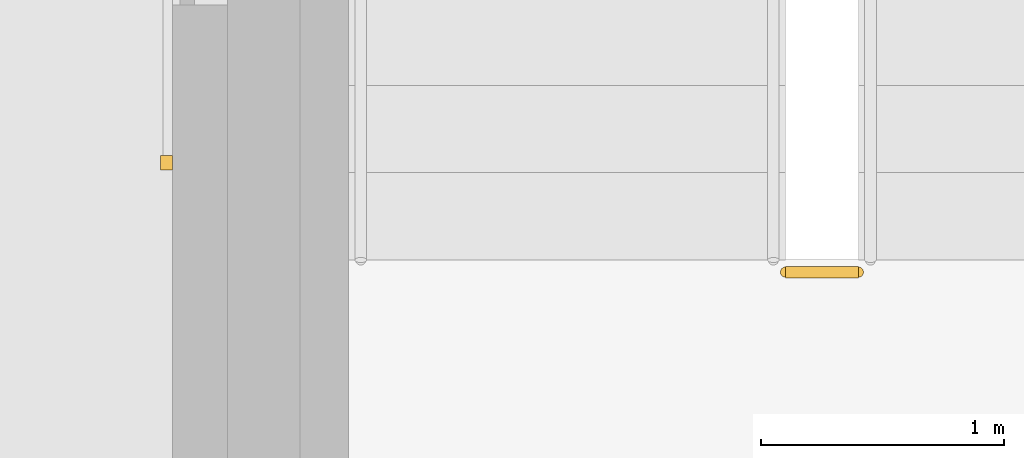
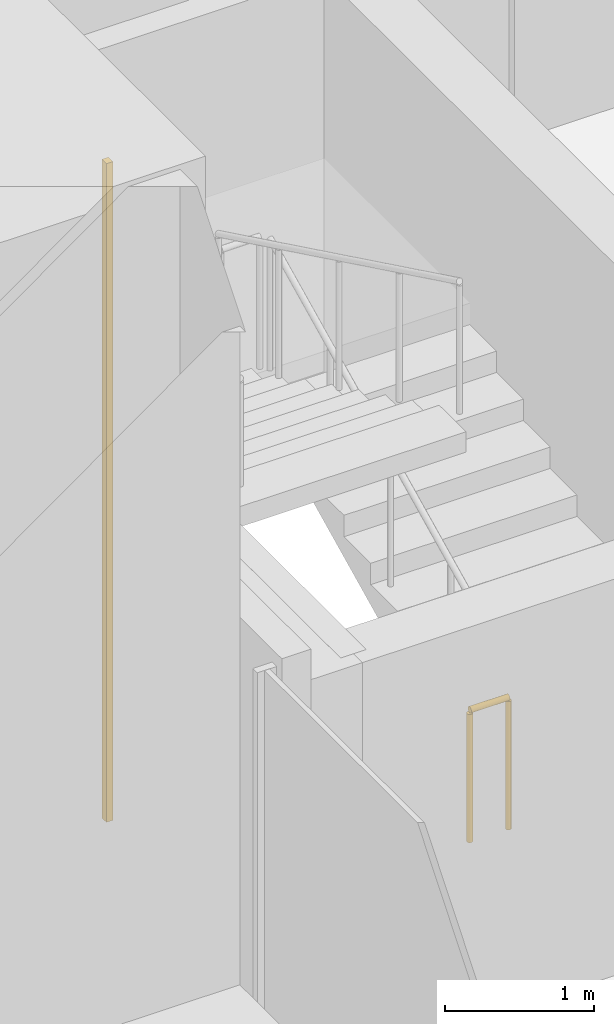
# One storey, part 18 of 29: 1 covering, 1 railing.
"""IFC4 building model written with IfcOpenShell, lengths in metres."""

from ifc_helpers import new_model, si_unit, direction, frame, origin, origin_2d, place, context, subcontext, project, spatial, rectangle, circle, extrude, material, type_object, element, save


model = new_model("IFC4")

# Units and contexts
model_context = context("Model", 3, precision=1e-05, world=origin(), true_north=direction((0.0, 1.0)))
body_context = subcontext(model_context, "Body", "Model", "MODEL_VIEW")
ifc_project = project(units=[si_unit("LENGTHUNIT", "METRE"), si_unit("AREAUNIT", "SQUARE_METRE"), si_unit("VOLUMEUNIT", "CUBIC_METRE"), si_unit("PLANEANGLEUNIT", "RADIAN"), si_unit("MASSUNIT", "GRAM", prefix="KILO")], contexts=[model_context])

# Site, building, storey
site_placement = place(None, origin())
site = spatial("IfcSite", under=ifc_project, at=site_placement, CompositionType="ELEMENT")
building_placement = place(site_placement, origin())
building = spatial("IfcBuilding", under=site, at=building_placement, Name="Cobrizo Arcos Hotel Tower", CompositionType="ELEMENT")
storey_placement = place(building_placement, frame((0.0, 0.0, 241.0)))
storey = spatial("IfcBuildingStorey", under=building, at=storey_placement, Name="L63", CompositionType="ELEMENT", Elevation=241.0)

# Covering
ifc_material_1 = material(Name="Aluminium 6063-T6 anodised pale", Category="aluminium")
covering_type = type_object("IfcCoveringType", Name="RS-2 rainscreen rib 60x50", PredefinedType="CLADDING", material=ifc_material_1)
covering_placement = place(storey_placement, frame((-20.64990234375, -8.5, 0.800048828125), z_axis=(0.0, 0.0, 1.0), x_axis=(0.0, -1.0, 0.0)))
element("IfcCovering", 1, at=covering_placement, inside=storey, type_object=covering_type, Name="Rainscreen rib 320", PredefinedType="CLADDING", context=body_context, shape_type="SweptSolid", body=[
    extrude(rectangle(XDim=0.06005859375, YDim=0.050048828125, at=origin_2d()), origin(), (0.0, 0.0, 1.0), 5.39990234375),
])

# Railing
ifc_material_2 = material(Name="Stainless steel railing", Category="steel")
railing_type = type_object("IfcRailingType", Name="Stair guard 1100", PredefinedType="GUARDRAIL", material=ifc_material_2)
railing_placement = place(storey_placement, frame((-17.800048828125, -8.949951171875, 0.0)))
element("IfcRailing", 2, at=railing_placement, inside=storey, type_object=railing_type, Name="L63 ST-W stair guard 4", PredefinedType="GUARDRAIL", context=body_context, shape_type="SweptSolid", body=[
    extrude(circle(Radius=0.02392578125, at=origin_2d()), frame((0.0, 0.0, 1.076171875), z_axis=(-1.0, 0.0, 0.0), x_axis=(0.0, -1.0, 0.0)), (0.0, 0.0, 1.0), 0.300048828125),
    extrude(circle(Radius=0.02099609375, at=origin_2d()), origin(), (0.0, 0.0, 1.0), 1.052001953125),
    extrude(circle(Radius=0.02099609375, at=origin_2d()), frame((-0.300048828125, 0.0, 0.0)), (0.0, 0.0, 1.0), 1.052001953125),
])

save(model, "model.ifc")
